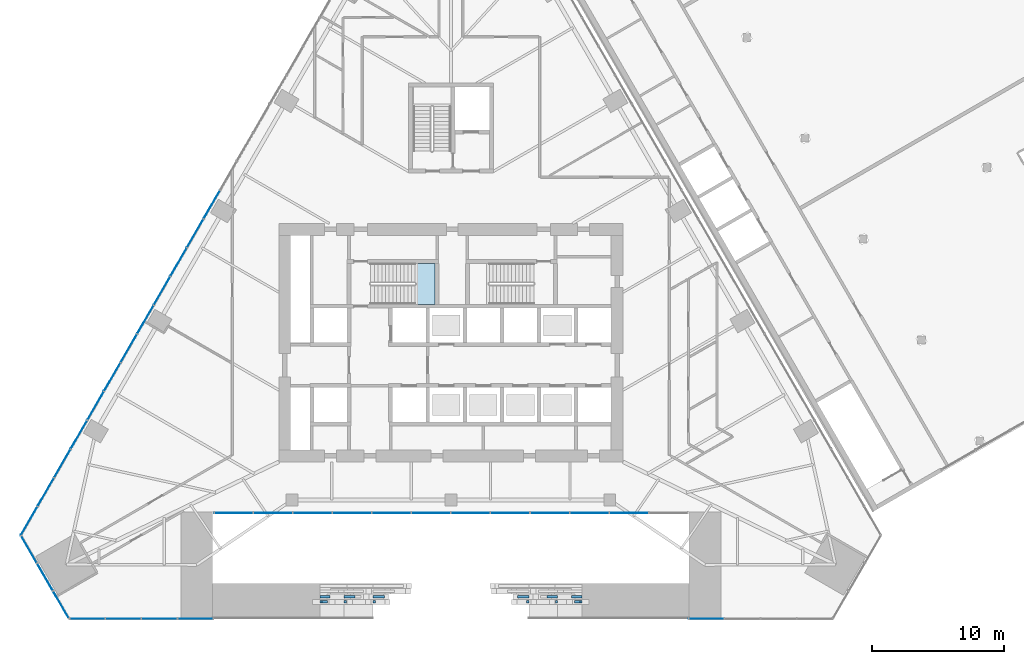
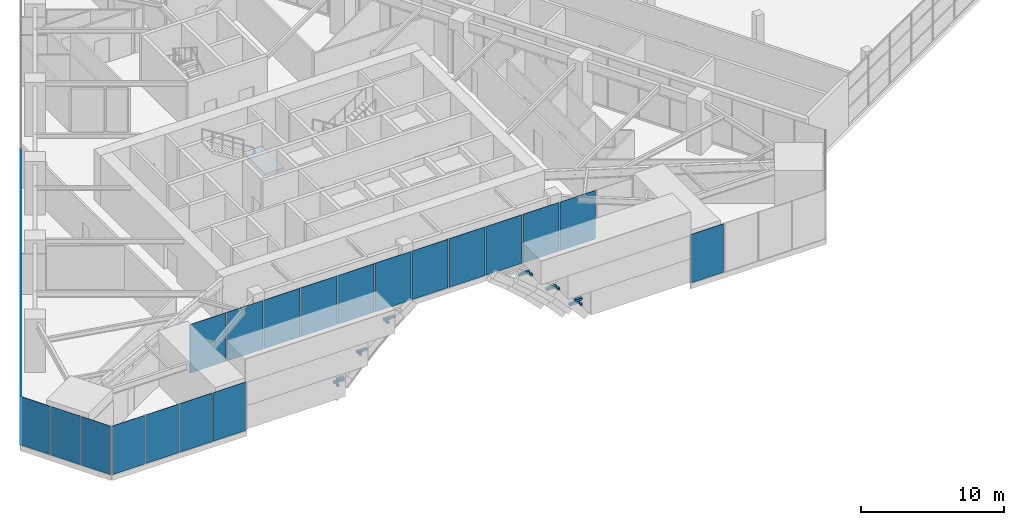
# One storey, part 13 of 23: 31 plates, 14 beams, 1 slab, 6 elements without a shape of their own.
"""IFC4 building model written with IfcOpenShell, lengths in metres."""

from ifc_helpers import new_model, si_unit, direction, frame, origin, origin_2d, place, context, subcontext, project, spatial, polyline, rectangle, outline, extrude, material, layer, layer_set, material_profile, profile_set, type_object, element, aggregate, save


model = new_model("IFC4")

# Units and contexts
model_context = context("Model", 3, precision=1e-05, world=origin(), true_north=direction((0.0, 1.0)))
body_context = subcontext(model_context, "Body", "Model", "MODEL_VIEW")
ifc_project = project(units=[si_unit("LENGTHUNIT", "METRE"), si_unit("AREAUNIT", "SQUARE_METRE"), si_unit("VOLUMEUNIT", "CUBIC_METRE"), si_unit("PLANEANGLEUNIT", "RADIAN"), si_unit("MASSUNIT", "GRAM", prefix="KILO")], contexts=[model_context])

# Site, building, storey
site_placement = place(None, origin())
site = spatial("IfcSite", under=ifc_project, at=site_placement, CompositionType="ELEMENT")
building_placement = place(site_placement, origin())
building = spatial("IfcBuilding", under=site, at=building_placement, Name="Firuza Gate Tower and Library", CompositionType="ELEMENT")
storey_placement = place(building_placement, frame((0.0, 0.0, 21.800048828125)))
storey = spatial("IfcBuildingStorey", under=building, at=storey_placement, Name="L04", CompositionType="ELEMENT", Elevation=21.800048828125)

# Beams
ifc_material_1 = material(Name="Concrete C60/75", Category="concrete")
ifc_material_profile = material_profile(ifc_material_1, rectangle(XDim=0.199951171875, YDim=0.199951171875, at=origin_2d()))
ifc_profile_set = profile_set([ifc_material_profile], Name="Concrete C60/75")
beam_type = type_object("IfcBeamType", Name="Arch rib bracket 200x200", PredefinedType="BEAM", material=ifc_profile_set)
beam_1_placement = place(storey_placement, frame((65.093994140625, 55.415283203125, 0.39990234375), z_axis=(1.0, 0.0, 0.0), x_axis=(0.0, 1.0, 0.0)))
element("IfcBeam", 1, at=beam_1_placement, inside=storey, type_object=beam_type, Name="Arch rib bracket 1.13", PredefinedType="BEAM", context=body_context, shape_type="SweptSolid", body=[
    extrude(rectangle(XDim=0.199951171875, YDim=0.199951171875, at=origin_2d()), origin(), (0.0, 0.0, 1.0), 0.159912109375),
])
beam_2_placement = place(storey_placement, frame((65.093994140625, 55.415283203125, 0.905517578125), z_axis=(1.0, 0.0, 0.0), x_axis=(0.0, 1.0, 0.0)))
element("IfcBeam", 2, at=beam_2_placement, inside=storey, type_object=beam_type, Name="Arch rib bracket 1.14", PredefinedType="BEAM", context=body_context, shape_type="SweptSolid", body=[
    extrude(rectangle(XDim=0.199951171875, YDim=0.199951171875, at=origin_2d()), origin(), (0.0, 0.0, 1.0), 0.576416015625),
])
beam_3_placement = place(storey_placement, frame((66.93017578125, 55.415283203125, 2.4052734375), z_axis=(1.0, 0.0, 0.0), x_axis=(0.0, 1.0, 0.0)))
element("IfcBeam", 3, at=beam_3_placement, inside=storey, type_object=beam_type, Name="Arch rib bracket 1.15", PredefinedType="BEAM", context=body_context, shape_type="SweptSolid", body=[
    extrude(rectangle(XDim=0.199951171875, YDim=0.199951171875, at=origin_2d()), origin(), (0.0, 0.0, 1.0), 0.171630859375),
])
for number, where, z_axis, x_axis, name in (
    (4, (69.109375, 55.415283203125, 4.372802734375), (1.0, 0.0, 0.0), (0.0, 1.0, 0.0), "Arch rib bracket 1.16"),
    (5, (80.890625, 55.415283203125, 4.372802734375), (-1.0, 0.0, 0.0), (0.0, -1.0, 0.0), "Arch rib bracket 1.23"),
):
    element("IfcBeam", number, at=place(storey_placement, frame(where, z_axis=z_axis, x_axis=x_axis)), inside=storey, type_object=beam_type, Name=name, PredefinedType="BEAM", context=body_context, shape_type="SweptSolid", body=[
        extrude(rectangle(XDim=0.199951171875, YDim=0.199951171875, at=origin_2d()), origin(), (0.0, 0.0, 1.0), 0.181396484375),
    ])
beam_4_placement = place(storey_placement, frame((83.06982421875, 55.415283203125, 2.4052734375), z_axis=(-1.0, 0.0, 0.0), x_axis=(0.0, -1.0, 0.0)))
element("IfcBeam", 6, at=beam_4_placement, inside=storey, type_object=beam_type, Name="Arch rib bracket 1.24", PredefinedType="BEAM", context=body_context, shape_type="SweptSolid", body=[
    extrude(rectangle(XDim=0.199951171875, YDim=0.199951171875, at=origin_2d()), origin(), (0.0, 0.0, 1.0), 0.171630859375),
])
beam_5_placement = place(storey_placement, frame((84.906005859375, 55.415283203125, 0.905517578125), z_axis=(-1.0, 0.0, 0.0), x_axis=(0.0, -1.0, 0.0)))
element("IfcBeam", 7, at=beam_5_placement, inside=storey, type_object=beam_type, Name="Arch rib bracket 1.25", PredefinedType="BEAM", context=body_context, shape_type="SweptSolid", body=[
    extrude(rectangle(XDim=0.199951171875, YDim=0.199951171875, at=origin_2d()), origin(), (0.0, 0.0, 1.0), 0.576416015625),
])
beam_6_placement = place(storey_placement, frame((84.906005859375, 55.415283203125, 0.39990234375), z_axis=(-1.0, 0.0, 0.0), x_axis=(0.0, -1.0, 0.0)))
element("IfcBeam", 8, at=beam_6_placement, inside=storey, type_object=beam_type, Name="Arch rib bracket 1.26", PredefinedType="BEAM", context=body_context, shape_type="SweptSolid", body=[
    extrude(rectangle(XDim=0.199951171875, YDim=0.199951171875, at=origin_2d()), origin(), (0.0, 0.0, 1.0), 0.159912109375),
])
beam_7_placement = place(storey_placement, frame((65.093994140625, 55.8154296875, 0.413818359375), z_axis=(1.0, 0.0, 0.0), x_axis=(0.0, 1.0, 0.0)))
element("IfcBeam", 9, at=beam_7_placement, inside=storey, type_object=beam_type, Name="Arch rib bracket 2.13", PredefinedType="BEAM", context=body_context, shape_type="SweptSolid", body=[
    extrude(rectangle(XDim=0.199951171875, YDim=0.199951171875, at=origin_2d()), origin(), (0.0, 0.0, 1.0), 0.78955078125),
])
beam_8_placement = place(storey_placement, frame((66.93017578125, 55.8154296875, 2.359375), z_axis=(1.0, 0.0, 0.0), x_axis=(0.0, 1.0, 0.0)))
element("IfcBeam", 10, at=beam_8_placement, inside=storey, type_object=beam_type, Name="Arch rib bracket 2.14", PredefinedType="BEAM", context=body_context, shape_type="SweptSolid", body=[
    extrude(rectangle(XDim=0.199951171875, YDim=0.199951171875, at=origin_2d()), origin(), (0.0, 0.0, 1.0), 0.811767578125),
])
for number, where, z_axis, x_axis, name in (
    (11, (69.109375, 55.8154296875, 4.354736328125), (1.0, 0.0, 0.0), (0.0, 1.0, 0.0), "Arch rib bracket 2.16"),
    (12, (80.890625, 55.8154296875, 4.354736328125), (-1.0, 0.0, 0.0), (0.0, -1.0, 0.0), "Arch rib bracket 2.21"),
):
    element("IfcBeam", number, at=place(storey_placement, frame(where, z_axis=z_axis, x_axis=x_axis)), inside=storey, type_object=beam_type, Name=name, PredefinedType="BEAM", context=body_context, shape_type="SweptSolid", body=[
        extrude(rectangle(XDim=0.199951171875, YDim=0.199951171875, at=origin_2d()), origin(), (0.0, 0.0, 1.0), 0.860107421875),
    ])
beam_9_placement = place(storey_placement, frame((83.06982421875, 55.8154296875, 2.359375), z_axis=(-1.0, 0.0, 0.0), x_axis=(0.0, -1.0, 0.0)))
element("IfcBeam", 13, at=beam_9_placement, inside=storey, type_object=beam_type, Name="Arch rib bracket 2.23", PredefinedType="BEAM", context=body_context, shape_type="SweptSolid", body=[
    extrude(rectangle(XDim=0.199951171875, YDim=0.199951171875, at=origin_2d()), origin(), (0.0, 0.0, 1.0), 0.811767578125),
])
beam_10_placement = place(storey_placement, frame((84.906005859375, 55.8154296875, 0.413818359375), z_axis=(-1.0, 0.0, 0.0), x_axis=(0.0, -1.0, 0.0)))
element("IfcBeam", 14, at=beam_10_placement, inside=storey, type_object=beam_type, Name="Arch rib bracket 2.24", PredefinedType="BEAM", context=body_context, shape_type="SweptSolid", body=[
    extrude(rectangle(XDim=0.199951171875, YDim=0.199951171875, at=origin_2d()), origin(), (0.0, 0.0, 1.0), 0.78955078125),
])

# Curtain wall, plates
ifc_material_2 = material(Name="Aluminium 6063-T6", Category="aluminium")
ifc_layer_1 = layer(ifc_material_2, 0.14990234375)
ifc_layer_set_1 = layer_set([ifc_layer_1], Name="Stick curtain wall, podium")
curtain_wall_type_1 = type_object("IfcCurtainWallType", Name="Stick curtain wall, podium", PredefinedType="NOTDEFINED", material=ifc_layer_set_1)
placement = place(storey_placement, origin())
curtain_wall_1 = element("IfcCurtainWall", 15, at=placement, inside=storey, type_object=curtain_wall_type_1, Name="CW5 L04 S", PredefinedType="NOTDEFINED")
ifc_material_3 = material(Name="Fritted glass", Category="glass")
ifc_layer_2 = layer(ifc_material_3, 0.030029296875)
ifc_layer_set_2 = layer_set([ifc_layer_2], Name="Clear glass unit, podium")
plate_type = type_object("IfcPlateType", Name="Clear glass unit, podium", PredefinedType="CURTAIN_PANEL", material=ifc_layer_set_2)
plate_1_placement = place(storey_placement, frame((46.19677734375, 54.12548828125, 0.14990234375), z_axis=(0.0, -1.0, 0.0), x_axis=(1.0, 0.0, 0.0)))
plate_1 = element("IfcPlate", 16, at=plate_1_placement, type_object=plate_type, Name="Glass unit", PredefinedType="CURTAIN_PANEL", context=body_context, shape_type="SweptSolid", body=[
    extrude(outline(polyline([(0.0, 0.0), (2.6494140625, 0.0), (2.6494140625, 4.150146484375), (0.0, 4.150146484375), (0.0, 0.0)])), origin(), (0.0, 0.0, -1.0), 0.030029296875),
])
plate_2_placement = place(storey_placement, frame((48.92626953125, 54.12548828125, 0.14990234375), z_axis=(0.0, -1.0, 0.0), x_axis=(1.0, 0.0, 0.0)))
plate_2 = element("IfcPlate", 17, at=plate_2_placement, type_object=plate_type, Name="Glass unit", PredefinedType="CURTAIN_PANEL", context=body_context, shape_type="SweptSolid", body=[
    extrude(outline(polyline([(0.0, 0.0), (2.649658203125, 0.0), (2.649658203125, 4.150146484375), (0.0, 4.150146484375), (0.0, 0.0)])), origin(), (0.0, 0.0, -1.0), 0.030029296875),
])
plate_3_placement = place(storey_placement, frame((51.65576171875, 54.12548828125, 0.14990234375), z_axis=(0.0, -1.0, 0.0), x_axis=(1.0, 0.0, 0.0)))
plate_3 = element("IfcPlate", 18, at=plate_3_placement, type_object=plate_type, Name="Glass unit", PredefinedType="CURTAIN_PANEL", context=body_context, shape_type="SweptSolid", body=[
    extrude(outline(polyline([(0.0, 0.0), (2.649658203125, 0.0), (2.649658203125, 4.150146484375), (0.0, 4.150146484375), (0.0, 0.0)])), origin(), (0.0, 0.0, -1.0), 0.030029296875),
])
plate_4_placement = place(storey_placement, frame((54.385498046875, 54.12548828125, 0.14990234375), z_axis=(0.0, -1.0, 0.0), x_axis=(1.0, 0.0, 0.0)))
plate_4 = element("IfcPlate", 19, at=plate_4_placement, type_object=plate_type, Name="Glass unit", PredefinedType="CURTAIN_PANEL", context=body_context, shape_type="SweptSolid", body=[
    extrude(outline(polyline([(0.0, 0.0), (2.6494140625, 0.0), (2.6494140625, 4.150146484375), (0.0, 4.150146484375), (0.0, 0.0)])), origin(), (0.0, 0.0, -1.0), 0.030029296875),
])
aggregate(curtain_wall_1, [plate_1, plate_2, plate_3, plate_4])

ifc_material_4 = material(Name="Aluminium 6063-T6", Category="aluminium")
ifc_layer_3 = layer(ifc_material_4, 0.14990234375)
ifc_layer_set_3 = layer_set([ifc_layer_3], Name="Stick curtain wall, gate lobby")
curtain_wall_type_2 = type_object("IfcCurtainWallType", Name="Stick curtain wall, gate lobby", PredefinedType="NOTDEFINED", material=ifc_layer_set_3)
curtain_wall_2 = element("IfcCurtainWall", 20, at=placement, inside=storey, type_object=curtain_wall_type_2, Name="CW7 L04 gate lobby", PredefinedType="NOTDEFINED")
plate_5_placement = place(storey_placement, frame((57.114990234375, 62.12548828125, 0.14990234375), z_axis=(0.0, -1.0, 0.0), x_axis=(1.0, 0.0, 0.0)))
plate_5 = element("IfcPlate", 21, at=plate_5_placement, type_object=plate_type, Name="Glass unit", PredefinedType="CURTAIN_PANEL", context=body_context, shape_type="SweptSolid", body=[
    extrude(outline(polyline([(0.0, 0.0), (2.907470703125, 0.0), (2.907470703125, 4.150146484375), (0.0, 4.150146484375), (0.0, 0.0)])), origin(), (0.0, 0.0, -1.0), 0.030029296875),
])
plate_6_placement = place(storey_placement, frame((60.1025390625, 62.12548828125, 0.14990234375), z_axis=(0.0, -1.0, 0.0), x_axis=(1.0, 0.0, 0.0)))
plate_6 = element("IfcPlate", 22, at=plate_6_placement, type_object=plate_type, Name="Glass unit", PredefinedType="CURTAIN_PANEL", context=body_context, shape_type="SweptSolid", body=[
    extrude(outline(polyline([(0.0, 0.0), (2.907470703125, 0.0), (2.907470703125, 4.150146484375), (0.0, 4.150146484375), (0.0, 0.0)])), origin(), (0.0, 0.0, -1.0), 0.030029296875),
])
plate_7_placement = place(storey_placement, frame((63.090087890625, 62.12548828125, 0.14990234375), z_axis=(0.0, -1.0, 0.0), x_axis=(1.0, 0.0, 0.0)))
plate_7 = element("IfcPlate", 23, at=plate_7_placement, type_object=plate_type, Name="Glass unit", PredefinedType="CURTAIN_PANEL", context=body_context, shape_type="SweptSolid", body=[
    extrude(outline(polyline([(0.0, 0.0), (2.907470703125, 0.0), (2.907470703125, 4.150146484375), (0.0, 4.150146484375), (0.0, 0.0)])), origin(), (0.0, 0.0, -1.0), 0.030029296875),
])
plate_8_placement = place(storey_placement, frame((66.077392578125, 62.12548828125, 0.14990234375), z_axis=(0.0, -1.0, 0.0), x_axis=(1.0, 0.0, 0.0)))
plate_8 = element("IfcPlate", 24, at=plate_8_placement, type_object=plate_type, Name="Glass unit", PredefinedType="CURTAIN_PANEL", context=body_context, shape_type="SweptSolid", body=[
    extrude(outline(polyline([(0.0, 0.0), (2.90771484375, 0.0), (2.90771484375, 4.150146484375), (0.0, 4.150146484375), (0.0, 0.0)])), origin(), (0.0, 0.0, -1.0), 0.030029296875),
])
plate_9_placement = place(storey_placement, frame((69.06494140625, 62.12548828125, 0.14990234375), z_axis=(0.0, -1.0, 0.0), x_axis=(1.0, 0.0, 0.0)))
plate_9 = element("IfcPlate", 25, at=plate_9_placement, type_object=plate_type, Name="Glass unit", PredefinedType="CURTAIN_PANEL", context=body_context, shape_type="SweptSolid", body=[
    extrude(outline(polyline([(0.0, 0.0), (2.907470703125, 0.0), (2.907470703125, 4.150146484375), (0.0, 4.150146484375), (0.0, 0.0)])), origin(), (0.0, 0.0, -1.0), 0.030029296875),
])
plate_10_placement = place(storey_placement, frame((72.052490234375, 62.12548828125, 0.14990234375), z_axis=(0.0, -1.0, 0.0), x_axis=(1.0, 0.0, 0.0)))
plate_10 = element("IfcPlate", 26, at=plate_10_placement, type_object=plate_type, Name="Glass unit", PredefinedType="CURTAIN_PANEL", context=body_context, shape_type="SweptSolid", body=[
    extrude(outline(polyline([(0.0, 0.0), (2.907470703125, 0.0), (2.907470703125, 4.150146484375), (0.0, 4.150146484375), (0.0, 0.0)])), origin(), (0.0, 0.0, -1.0), 0.030029296875),
])
plate_11_placement = place(storey_placement, frame((75.0400390625, 62.12548828125, 0.14990234375), z_axis=(0.0, -1.0, 0.0), x_axis=(1.0, 0.0, 0.0)))
plate_11 = element("IfcPlate", 27, at=plate_11_placement, type_object=plate_type, Name="Glass unit", PredefinedType="CURTAIN_PANEL", context=body_context, shape_type="SweptSolid", body=[
    extrude(outline(polyline([(0.0, 0.0), (2.907470703125, 0.0), (2.907470703125, 4.150146484375), (0.0, 4.150146484375), (0.0, 0.0)])), origin(), (0.0, 0.0, -1.0), 0.030029296875),
])
plate_12_placement = place(storey_placement, frame((78.027587890625, 62.12548828125, 0.14990234375), z_axis=(0.0, -1.0, 0.0), x_axis=(1.0, 0.0, 0.0)))
plate_12 = element("IfcPlate", 28, at=plate_12_placement, type_object=plate_type, Name="Glass unit", PredefinedType="CURTAIN_PANEL", context=body_context, shape_type="SweptSolid", body=[
    extrude(outline(polyline([(0.0, 0.0), (2.907470703125, 0.0), (2.907470703125, 4.150146484375), (0.0, 4.150146484375), (0.0, 0.0)])), origin(), (0.0, 0.0, -1.0), 0.030029296875),
])
plate_13_placement = place(storey_placement, frame((81.014892578125, 62.12548828125, 0.14990234375), z_axis=(0.0, -1.0, 0.0), x_axis=(1.0, 0.0, 0.0)))
plate_13 = element("IfcPlate", 29, at=plate_13_placement, type_object=plate_type, Name="Glass unit", PredefinedType="CURTAIN_PANEL", context=body_context, shape_type="SweptSolid", body=[
    extrude(outline(polyline([(0.0, 0.0), (2.90771484375, 0.0), (2.90771484375, 4.150146484375), (0.0, 4.150146484375), (0.0, 0.0)])), origin(), (0.0, 0.0, -1.0), 0.030029296875),
])
plate_14_placement = place(storey_placement, frame((84.00244140625, 62.12548828125, 0.14990234375), z_axis=(0.0, -1.0, 0.0), x_axis=(1.0, 0.0, 0.0)))
plate_14 = element("IfcPlate", 30, at=plate_14_placement, type_object=plate_type, Name="Glass unit", PredefinedType="CURTAIN_PANEL", context=body_context, shape_type="SweptSolid", body=[
    extrude(outline(polyline([(0.0, 0.0), (2.907470703125, 0.0), (2.907470703125, 4.150146484375), (0.0, 4.150146484375), (0.0, 0.0)])), origin(), (0.0, 0.0, -1.0), 0.030029296875),
])
plate_15_placement = place(storey_placement, frame((86.989990234375, 62.12548828125, 0.14990234375), z_axis=(0.0, -1.0, 0.0), x_axis=(1.0, 0.0, 0.0)))
plate_15 = element("IfcPlate", 31, at=plate_15_placement, type_object=plate_type, Name="Glass unit", PredefinedType="CURTAIN_PANEL", context=body_context, shape_type="SweptSolid", body=[
    extrude(outline(polyline([(0.0, 0.0), (2.907470703125, 0.0), (2.907470703125, 4.150146484375), (0.0, 4.150146484375), (0.0, 0.0)])), origin(), (0.0, 0.0, -1.0), 0.030029296875),
])
aggregate(curtain_wall_2, [plate_5, plate_6, plate_7, plate_8, plate_9, plate_10, plate_11, plate_12, plate_13, plate_14, plate_15])

# Curtain wall, plate
curtain_wall_3 = element("IfcCurtainWall", 32, at=placement, inside=storey, type_object=curtain_wall_type_1, Name="CW5 L04 S", PredefinedType="NOTDEFINED")
plate_16_placement = place(storey_placement, frame((92.965087890625, 54.12548828125, 0.14990234375), z_axis=(0.0, -1.0, 0.0), x_axis=(1.0, 0.0, 0.0)))
plate_16 = element("IfcPlate", 33, at=plate_16_placement, type_object=plate_type, Name="Glass unit", PredefinedType="CURTAIN_PANEL", context=body_context, shape_type="SweptSolid", body=[
    extrude(outline(polyline([(0.0, 0.0), (2.6494140625, 0.0), (2.6494140625, 4.150146484375), (0.0, 4.150146484375), (0.0, 0.0)])), origin(), (0.0, 0.0, -1.0), 0.030029296875),
])
aggregate(curtain_wall_3, [plate_16])

# Curtain wall, plates
curtain_wall_4 = element("IfcCurtainWall", 34, at=placement, inside=storey, type_object=curtain_wall_type_1, Name="CW5 L04 W", PredefinedType="NOTDEFINED")
plate_17_placement = place(storey_placement, frame((57.529052734375, 86.48876953125, 0.14990234375), z_axis=(-0.866013120021, 0.500021275498, 0.0), x_axis=(-0.500021275498, -0.866013120021, 0.0)))
plate_17 = element("IfcPlate", 35, at=plate_17_placement, type_object=plate_type, Name="Glass unit", PredefinedType="CURTAIN_PANEL", context=body_context, shape_type="SweptSolid", body=[
    extrude(outline(polyline([(0.0, 0.0), (2.428119337352694, 0.0), (2.428119337352694, 4.150146484374999), (0.0, 4.150146484374999), (0.0, 0.0)])), origin(), (0.0, 0.0, -1.0), 0.030029296875),
])
plate_18_placement = place(storey_placement, frame((56.275146484375, 84.316650390625, 0.14990234375), z_axis=(-0.866013120021, 0.500021275498, 0.0), x_axis=(-0.500021275498, -0.866013120021, 0.0)))
plate_18 = element("IfcPlate", 36, at=plate_18_placement, type_object=plate_type, Name="Glass unit", PredefinedType="CURTAIN_PANEL", context=body_context, shape_type="SweptSolid", body=[
    extrude(outline(polyline([(0.0, 0.0), (2.428119337352694, 0.0), (2.428119337352694, 4.150146484374999), (0.0, 4.150146484374999), (0.0, 0.0)])), origin(), (0.0, 0.0, -1.0), 0.030029296875),
])
plate_19_placement = place(storey_placement, frame((55.02099609375, 82.14453125, 0.14990234375), z_axis=(-0.866013120021, 0.500021275498, 0.0), x_axis=(-0.500021275498, -0.866013120021, 0.0)))
plate_19 = element("IfcPlate", 37, at=plate_19_placement, type_object=plate_type, Name="Glass unit", PredefinedType="CURTAIN_PANEL", context=body_context, shape_type="SweptSolid", body=[
    extrude(outline(polyline([(0.0, 0.0), (2.428119337352694, 0.0), (2.428119337352694, 4.150146484374999), (0.0, 4.150146484374999), (0.0, 0.0)])), origin(), (0.0, 0.0, -1.0), 0.030029296875),
])
plate_20_placement = place(storey_placement, frame((53.766845703125, 79.972412109375, 0.14990234375), z_axis=(-0.866056658381, 0.499945861543, 0.0), x_axis=(-0.499945861543, -0.866056658381, 0.0)))
plate_20 = element("IfcPlate", 38, at=plate_20_placement, type_object=plate_type, Name="Glass unit", PredefinedType="CURTAIN_PANEL", context=body_context, shape_type="SweptSolid", body=[
    extrude(outline(polyline([(0.0, 0.0), (2.4279972710515545, 0.0), (2.4279972710515545, 4.150146484375), (0.0, 4.150146484375), (0.0, 0.0)])), origin(), (0.0, 0.0, -1.0), 0.030029296875),
])
plate_21_placement = place(storey_placement, frame((52.512939453125, 77.80029296875, 0.14990234375), z_axis=(-0.866013120021, 0.500021275498, 0.0), x_axis=(-0.500021275498, -0.866013120021, 0.0)))
plate_21 = element("IfcPlate", 39, at=plate_21_placement, type_object=plate_type, Name="Glass unit", PredefinedType="CURTAIN_PANEL", context=body_context, shape_type="SweptSolid", body=[
    extrude(outline(polyline([(0.0, 0.0), (2.428119337352694, 0.0), (2.428119337352694, 4.150146484374999), (0.0, 4.150146484374999), (0.0, 0.0)])), origin(), (0.0, 0.0, -1.0), 0.030029296875),
])
plate_22_placement = place(storey_placement, frame((51.2587890625, 75.628173828125, 0.14990234375), z_axis=(-0.866013120021, 0.500021275498, 0.0), x_axis=(-0.500021275498, -0.866013120021, 0.0)))
plate_22 = element("IfcPlate", 40, at=plate_22_placement, type_object=plate_type, Name="Glass unit", PredefinedType="CURTAIN_PANEL", context=body_context, shape_type="SweptSolid", body=[
    extrude(outline(polyline([(0.0, 0.0), (2.428119337352694, 0.0), (2.428119337352694, 4.150146484374999), (0.0, 4.150146484374999), (0.0, 0.0)])), origin(), (0.0, 0.0, -1.0), 0.030029296875),
])
plate_23_placement = place(storey_placement, frame((50.004638671875, 73.4560546875, 0.14990234375), z_axis=(-0.866056658381, 0.499945861543, 0.0), x_axis=(-0.499945861543, -0.866056658381, 0.0)))
plate_23 = element("IfcPlate", 41, at=plate_23_placement, type_object=plate_type, Name="Glass unit", PredefinedType="CURTAIN_PANEL", context=body_context, shape_type="SweptSolid", body=[
    extrude(outline(polyline([(0.0, 0.0), (2.4279972710515545, 0.0), (2.4279972710515545, 4.150146484375), (0.0, 4.150146484375), (0.0, 0.0)])), origin(), (0.0, 0.0, -1.0), 0.030029296875),
])
plate_24_placement = place(storey_placement, frame((48.750732421875, 71.2841796875, 0.14990234375), z_axis=(-0.86603825568, 0.499977739203, 0.0), x_axis=(-0.499977739203, -0.86603825568, 0.0)))
plate_24 = element("IfcPlate", 42, at=plate_24_placement, type_object=plate_type, Name="Glass unit", PredefinedType="CURTAIN_PANEL", context=body_context, shape_type="SweptSolid", body=[
    extrude(outline(polyline([(0.0, 0.0), (2.428330769405526, 0.0), (2.428330769405526, 4.150146484375), (0.0, 4.150146484375), (0.0, 0.0)])), origin(), (0.0, 0.0, -1.0), 0.030029296875),
])
plate_25_placement = place(storey_placement, frame((47.49658203125, 69.112060546875, 0.14990234375), z_axis=(-0.866013120021, 0.500021275498, 0.0), x_axis=(-0.500021275498, -0.866013120021, 0.0)))
plate_25 = element("IfcPlate", 43, at=plate_25_placement, type_object=plate_type, Name="Glass unit", PredefinedType="CURTAIN_PANEL", context=body_context, shape_type="SweptSolid", body=[
    extrude(outline(polyline([(0.0, 0.0), (2.428119337352694, 0.0), (2.428119337352694, 4.150146484374999), (0.0, 4.150146484374999), (0.0, 0.0)])), origin(), (0.0, 0.0, -1.0), 0.030029296875),
])
plate_26_placement = place(storey_placement, frame((46.24267578125, 66.93994140625, 0.14990234375), z_axis=(-0.866013120021, 0.500021275498, 0.0), x_axis=(-0.500021275498, -0.866013120021, 0.0)))
plate_26 = element("IfcPlate", 44, at=plate_26_placement, type_object=plate_type, Name="Glass unit", PredefinedType="CURTAIN_PANEL", context=body_context, shape_type="SweptSolid", body=[
    extrude(outline(polyline([(0.0, 0.0), (2.428119337352694, 0.0), (2.428119337352694, 4.150146484374999), (0.0, 4.150146484374999), (0.0, 0.0)])), origin(), (0.0, 0.0, -1.0), 0.030029296875),
])
plate_27_placement = place(storey_placement, frame((44.988525390625, 64.767822265625, 0.14990234375), z_axis=(-0.866013120021, 0.500021275498, 0.0), x_axis=(-0.500021275498, -0.866013120021, 0.0)))
plate_27 = element("IfcPlate", 45, at=plate_27_placement, type_object=plate_type, Name="Glass unit", PredefinedType="CURTAIN_PANEL", context=body_context, shape_type="SweptSolid", body=[
    extrude(outline(polyline([(0.0, 0.0), (2.428119337352694, 0.0), (2.428119337352694, 4.150146484374999), (0.0, 4.150146484374999), (0.0, 0.0)])), origin(), (0.0, 0.0, -1.0), 0.030029296875),
])
plate_28_placement = place(storey_placement, frame((43.734375, 62.595703125, 0.14990234375), z_axis=(-0.866056658381, 0.499945861543, 0.0), x_axis=(-0.499945861543, -0.866056658381, 0.0)))
plate_28 = element("IfcPlate", 46, at=plate_28_placement, type_object=plate_type, Name="Glass unit", PredefinedType="CURTAIN_PANEL", context=body_context, shape_type="SweptSolid", body=[
    extrude(outline(polyline([(0.0, 0.0), (2.4279972710515545, 0.0), (2.4279972710515545, 4.150146484375), (0.0, 4.150146484375), (0.0, 0.0)])), origin(), (0.0, 0.0, -1.0), 0.030029296875),
])
aggregate(curtain_wall_4, [plate_17, plate_18, plate_19, plate_20, plate_21, plate_22, plate_23, plate_24, plate_25, plate_26, plate_27, plate_28])

curtain_wall_5 = element("IfcCurtainWall", 47, at=placement, inside=storey, type_object=curtain_wall_type_1, Name="CW5 L04 SW", PredefinedType="NOTDEFINED")
plate_29_placement = place(storey_placement, frame((42.5205078125, 60.40869140625, 0.14990234375), z_axis=(-0.866047116916, -0.499962389866, 0.0), x_axis=(0.499962389866, -0.866047116916, 0.0)))
plate_29 = element("IfcPlate", 48, at=plate_29_placement, type_object=plate_type, Name="Glass unit", PredefinedType="CURTAIN_PANEL", context=body_context, shape_type="SweptSolid", body=[
    extrude(outline(polyline([(0.0, 0.0), (2.3488094905771977, 0.0), (2.3488094905771977, 4.150146484375001), (0.0, 4.150146484375001), (0.0, 0.0)])), origin(), (0.0, 0.0, -1.0), 0.030029296875),
])
plate_30_placement = place(storey_placement, frame((43.73486328125, 58.30517578125, 0.14990234375), z_axis=(-0.866047116916, -0.499962389866, 0.0), x_axis=(0.499962389866, -0.866047116916, 0.0)))
plate_30 = element("IfcPlate", 49, at=plate_30_placement, type_object=plate_type, Name="Glass unit", PredefinedType="CURTAIN_PANEL", context=body_context, shape_type="SweptSolid", body=[
    extrude(outline(polyline([(0.0, 0.0), (2.3488094905771977, 0.0), (2.3488094905771977, 4.150146484375001), (0.0, 4.150146484375001), (0.0, 0.0)])), origin(), (0.0, 0.0, -1.0), 0.030029296875),
])
plate_31_placement = place(storey_placement, frame((44.94921875, 56.20166015625, 0.14990234375), z_axis=(-0.866002109674, -0.500040344412, 0.0), x_axis=(0.500040344412, -0.866002109674, 0.0)))
plate_31 = element("IfcPlate", 50, at=plate_31_placement, type_object=plate_type, Name="Glass unit", PredefinedType="CURTAIN_PANEL", context=body_context, shape_type="SweptSolid", body=[
    extrude(outline(polyline([(0.0, 0.0), (2.348931561223719, 0.0), (2.348931561223719, 4.150146484375), (0.0, 4.150146484375), (0.0, 0.0)])), origin(), (0.0, 0.0, -1.0), 0.030029296875),
])
aggregate(curtain_wall_5, [plate_29, plate_30, plate_31])

# Stair, slab
ifc_material_5 = material(Name="Concrete C35/45", Category="concrete")
stair_type = type_object("IfcStairType", Name="Exit stair ST4", PredefinedType="HALF_TURN_STAIR", material=ifc_material_5)
stair = element("IfcStair", 51, at=placement, inside=storey, type_object=stair_type, Name="L04 Stair ST1", PredefinedType="HALF_TURN_STAIR")
ifc_material_6 = material(Name="Concrete C35/45", Category="concrete")
ifc_layer_4 = layer(ifc_material_6, 0.199951171875)
ifc_layer_set_4 = layer_set([ifc_layer_4], Name="Stair landing 200")
slab_type = type_object("IfcSlabType", Name="Stair landing 200", PredefinedType="LANDING", material=ifc_layer_set_4)
slab_placement = place(storey_placement, frame((0.0, 0.0, 2.099853515625)))
slab = element("IfcSlab", 52, at=slab_placement, type_object=slab_type, Name="ST1 landing 1", PredefinedType="LANDING", context=body_context, shape_type="SweptSolid", body=[
    extrude(outline(polyline([(72.300048828125, 77.89990234375), (73.81005859375, 77.89990234375), (73.81005859375, 80.97998046875), (72.300048828125, 80.97998046875), (72.300048828125, 77.89990234375)])), origin(), (0.0, 0.0, 1.0), 0.2001953125),
])
aggregate(stair, [slab])

save(model, "model.ifc")
